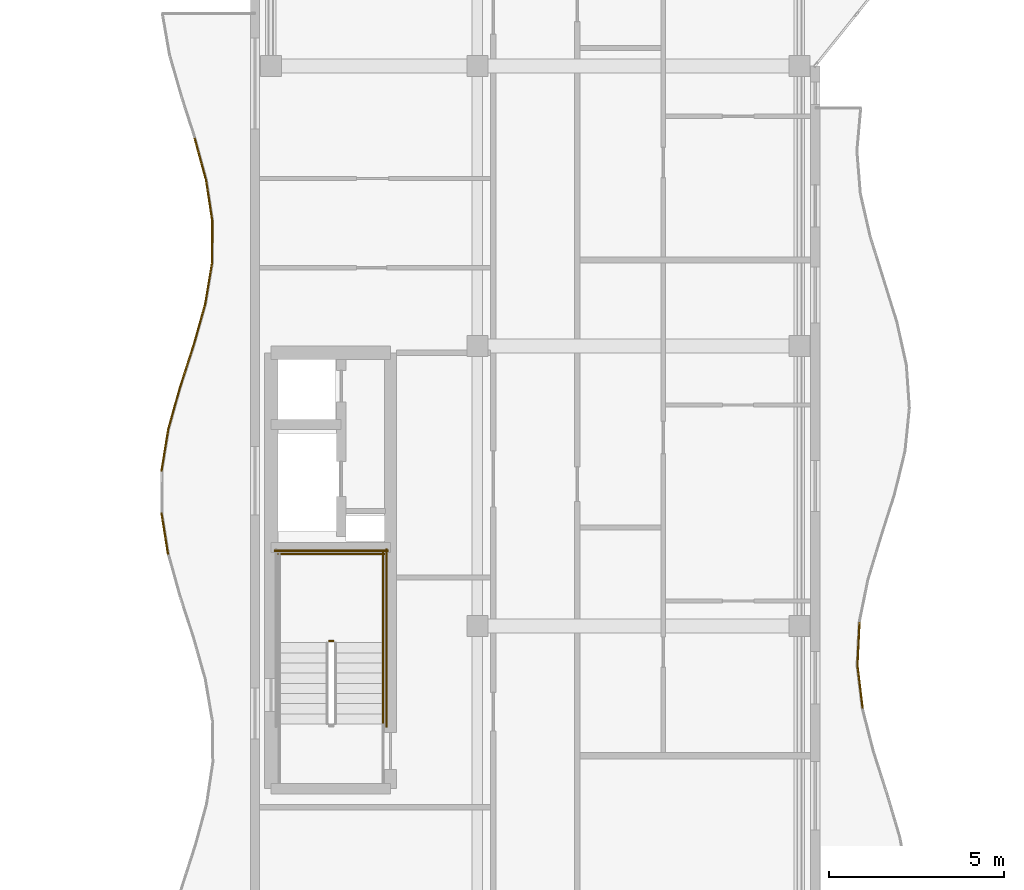
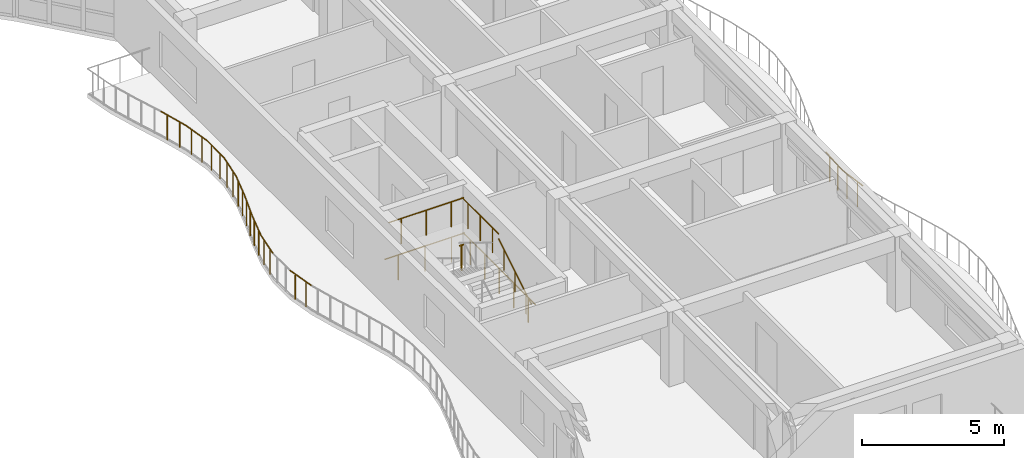
# One storey, part 63 of 76: 17 railings.
"""IFC4 building model written with IfcOpenShell, lengths in metres."""

from ifc_helpers import new_model, si_unit, direction, frame, origin, origin_2d, place, context, subcontext, project, spatial, circle, extrude, material, type_object, element, save


model = new_model("IFC4")

# Units and contexts
model_context = context("Model", 3, precision=1e-05, world=origin(), true_north=direction((0.0, 1.0)))
body_context = subcontext(model_context, "Body", "Model", "MODEL_VIEW")
ifc_project = project(units=[si_unit("LENGTHUNIT", "METRE"), si_unit("AREAUNIT", "SQUARE_METRE"), si_unit("VOLUMEUNIT", "CUBIC_METRE"), si_unit("PLANEANGLEUNIT", "RADIAN"), si_unit("MASSUNIT", "GRAM", prefix="KILO")], contexts=[model_context])

# Site, building, storey
site_placement = place(None, origin())
site = spatial("IfcSite", under=ifc_project, at=site_placement, CompositionType="ELEMENT")
building_placement = place(site_placement, origin())
building = spatial("IfcBuilding", under=site, at=building_placement, Name="Keldmere Railside Commons", CompositionType="ELEMENT")
storey_placement = place(building_placement, frame((0.0, 0.0, 13.760009765625)))
storey = spatial("IfcBuildingStorey", under=building, at=storey_placement, Name="L04", CompositionType="ELEMENT", Elevation=13.760009765625)

# Railings
ifc_material = material(Name="Steel F-24 (S235)", Category="steel")
railing_type_1 = type_object("IfcRailingType", Name="Balcony & Terrace Steel Balustrade 1100", PredefinedType="BALUSTRADE", material=ifc_material)
railing_1_placement = place(storey_placement, frame((121.353271484375, 69.64990234375, 0.0)))
element("IfcRailing", 1, at=railing_1_placement, inside=storey, type_object=railing_type_1, Name="GR-1 GRD-L04-2285", PredefinedType="BALUSTRADE", context=body_context, shape_type="SweptSolid", body=[
    extrude(circle(Radius=0.02392578125, at=origin_2d()), frame((0.0, 0.0, 1.076171875), z_axis=(-0.12008912135, 0.992763115216, 0.0), x_axis=(-0.992763115216, -0.12008912135, 0.0)), (0.0, 0.0, 1.0), 1.234130859375),
    extrude(circle(Radius=0.02099609375, at=origin_2d()), frame((-0.037109375, 0.30615234375, 0.0)), (0.0, 0.0, 1.0), 1.048095703125),
    extrude(circle(Radius=0.02099609375, at=origin_2d()), frame((-0.111083984375, 0.9189453125, 0.0)), (0.0, 0.0, 1.0), 1.048095703125),
])
railing_2_placement = place(storey_placement, frame((121.205078125, 70.875, 0.0)))
element("IfcRailing", 2, at=railing_2_placement, inside=storey, type_object=railing_type_1, Name="GR-1 GRD-L04-2286", PredefinedType="BALUSTRADE", context=body_context, shape_type="SweptSolid", body=[
    extrude(circle(Radius=0.02392578125, at=origin_2d()), frame((0.0, 0.0, 1.076171875), z_axis=(0.048567567844, 0.998819899358, 0.0), x_axis=(-0.998819899358, 0.048567567844, 0.0)), (0.0, 0.0, 1.0), 1.2265625),
    extrude(circle(Radius=0.02099609375, at=origin_2d()), frame((0.014892578125, 0.30615234375, 0.0)), (0.0, 0.0, 1.0), 1.048095703125),
    extrude(circle(Radius=0.02099609375, at=origin_2d()), frame((0.044677734375, 0.9189453125, 0.0)), (0.0, 0.0, 1.0), 1.048095703125),
])
railing_3_placement = place(storey_placement, frame((101.513916015625, 74.04443359375, 0.0)))
element("IfcRailing", 3, at=railing_3_placement, inside=storey, type_object=railing_type_1, Name="GR-1 GRD-L04-2315", PredefinedType="BALUSTRADE", context=body_context, shape_type="SweptSolid", body=[
    extrude(circle(Radius=0.02392578125, at=origin_2d()), frame((0.0, 0.0, 1.076171875), z_axis=(-0.157357767805, 0.987541661355, 0.0), x_axis=(-0.987541661355, -0.157357767805, 0.0)), (0.0, 0.0, 1.0), 1.203857421875),
    extrude(circle(Radius=0.02099609375, at=origin_2d()), frame((-0.04736328125, 0.29736328125, 0.0)), (0.0, 0.0, 1.0), 1.048095703125),
    extrude(circle(Radius=0.02099609375, at=origin_2d()), frame((-0.14208984375, 0.8916015625, 0.0)), (0.0, 0.0, 1.0), 1.048095703125),
])
railing_4_placement = place(storey_placement, frame((101.32568359375, 76.422119140625, 0.0)))
element("IfcRailing", 4, at=railing_4_placement, inside=storey, type_object=railing_type_1, Name="GR-1 GRD-L04-2317", PredefinedType="BALUSTRADE", context=body_context, shape_type="SweptSolid", body=[
    extrude(circle(Radius=0.02392578125, at=origin_2d()), frame((0.0, 0.0, 1.076171875), z_axis=(0.159334412526, 0.987224667938, 0.0), x_axis=(-0.987224667938, 0.159334412526, 0.0)), (0.0, 0.0, 1.0), 1.204345703125),
    extrude(circle(Radius=0.02099609375, at=origin_2d()), frame((0.0478515625, 0.29736328125, 0.0)), (0.0, 0.0, 1.0), 1.048095703125),
    extrude(circle(Radius=0.02099609375, at=origin_2d()), frame((0.14404296875, 0.8916015625, 0.0)), (0.0, 0.0, 1.0), 1.048095703125),
])
railing_5_placement = place(storey_placement, frame((101.517578125, 77.611083984375, 0.0)))
element("IfcRailing", 5, at=railing_5_placement, inside=storey, type_object=railing_type_1, Name="GR-1 GRD-L04-2318", PredefinedType="BALUSTRADE", context=body_context, shape_type="SweptSolid", body=[
    extrude(circle(Radius=0.02392578125, at=origin_2d()), frame((0.0, 0.0, 1.076171875), z_axis=(0.268969644724, 0.963148654267, 0.0), x_axis=(-0.963148654267, 0.268969644724, 0.0)), (0.0, 0.0, 1.0), 1.234375),
    extrude(circle(Radius=0.02099609375, at=origin_2d()), frame((0.0830078125, 0.29736328125, 0.0)), (0.0, 0.0, 1.0), 1.048095703125),
    extrude(circle(Radius=0.02099609375, at=origin_2d()), frame((0.2490234375, 0.8916015625, 0.0)), (0.0, 0.0, 1.0), 1.048095703125),
])
railing_6_placement = place(storey_placement, frame((101.849609375, 78.800048828125, 0.0)))
element("IfcRailing", 6, at=railing_6_placement, inside=storey, type_object=railing_type_1, Name="GR-1 GRD-L04-2319", PredefinedType="BALUSTRADE", context=body_context, shape_type="SweptSolid", body=[
    extrude(circle(Radius=0.02392578125, at=origin_2d()), frame((0.0, 0.0, 1.076171875), z_axis=(0.307893106044, 0.95142095586, 0.0), x_axis=(-0.95142095586, 0.307893106044, 0.0)), (0.0, 0.0, 1.0), 1.249755859375),
    extrude(circle(Radius=0.02099609375, at=origin_2d()), frame((0.09619140625, 0.29736328125, 0.0)), (0.0, 0.0, 1.0), 1.048095703125),
    extrude(circle(Radius=0.02099609375, at=origin_2d()), frame((0.28857421875, 0.8916015625, 0.0)), (0.0, 0.0, 1.0), 1.048095703125),
])
railing_7_placement = place(storey_placement, frame((102.234375, 79.989013671875, 0.0)))
element("IfcRailing", 7, at=railing_7_placement, inside=storey, type_object=railing_type_1, Name="GR-1 GRD-L04-2320", PredefinedType="BALUSTRADE", context=body_context, shape_type="SweptSolid", body=[
    extrude(circle(Radius=0.02392578125, at=origin_2d()), frame((0.0, 0.0, 1.076171875), z_axis=(0.272136034824, 0.962258789802, 0.0), x_axis=(-0.962258789802, 0.272136034824, 0.0)), (0.0, 0.0, 1.0), 1.2353515625),
    extrude(circle(Radius=0.02099609375, at=origin_2d()), frame((0.083984375, 0.297119140625, 0.0)), (0.0, 0.0, 1.0), 1.048095703125),
    extrude(circle(Radius=0.02099609375, at=origin_2d()), frame((0.252197265625, 0.8916015625, 0.0)), (0.0, 0.0, 1.0), 1.048095703125),
])
railing_8_placement = place(storey_placement, frame((102.570556640625, 81.177734375, 0.0)))
element("IfcRailing", 8, at=railing_8_placement, inside=storey, type_object=railing_type_1, Name="GR-1 GRD-L04-2321", PredefinedType="BALUSTRADE", context=body_context, shape_type="SweptSolid", body=[
    extrude(circle(Radius=0.02392578125, at=origin_2d()), frame((0.0, 0.0, 1.076171875), z_axis=(0.165252775506, 0.986251245975, 0.0), x_axis=(-0.986251245975, 0.165252775506, 0.0)), (0.0, 0.0, 1.0), 1.20556640625),
    extrude(circle(Radius=0.02099609375, at=origin_2d()), frame((0.0498046875, 0.29736328125, 0.0)), (0.0, 0.0, 1.0), 1.048095703125),
    extrude(circle(Radius=0.02099609375, at=origin_2d()), frame((0.1494140625, 0.8916015625, 0.0)), (0.0, 0.0, 1.0), 1.048095703125),
])
railing_9_placement = place(storey_placement, frame((102.769775390625, 82.36669921875, 0.0)))
element("IfcRailing", 9, at=railing_9_placement, inside=storey, type_object=railing_type_1, Name="GR-1 GRD-L04-2322", PredefinedType="BALUSTRADE", context=body_context, shape_type="SweptSolid", body=[
    extrude(circle(Radius=0.02392578125, at=origin_2d()), frame((0.0, 0.0, 1.076171875), z_axis=(0.008213275322, 0.999966270485, 0.0), x_axis=(-0.999966270485, 0.008213275322, 0.0)), (0.0, 0.0, 1.0), 1.18896484375),
    extrude(circle(Radius=0.02099609375, at=origin_2d()), frame((0.00244140625, 0.29736328125, 0.0)), (0.0, 0.0, 1.0), 1.048095703125),
    extrude(circle(Radius=0.02099609375, at=origin_2d()), frame((0.00732421875, 0.8916015625, 0.0)), (0.0, 0.0, 1.0), 1.048095703125),
])
railing_10_placement = place(storey_placement, frame((102.779541015625, 83.5556640625, 0.0)))
element("IfcRailing", 10, at=railing_10_placement, inside=storey, type_object=railing_type_1, Name="GR-1 GRD-L04-2323", PredefinedType="BALUSTRADE", context=body_context, shape_type="SweptSolid", body=[
    extrude(circle(Radius=0.02392578125, at=origin_2d()), frame((0.0, 0.0, 1.076171875), z_axis=(-0.151446945819, 0.98846538766, 0.0), x_axis=(-0.98846538766, -0.151446945819, 0.0)), (0.0, 0.0, 1.0), 1.20263671875),
    extrude(circle(Radius=0.02099609375, at=origin_2d()), frame((-0.04541015625, 0.297119140625, 0.0)), (0.0, 0.0, 1.0), 1.048095703125),
    extrude(circle(Radius=0.02099609375, at=origin_2d()), frame((-0.13671875, 0.8916015625, 0.0)), (0.0, 0.0, 1.0), 1.048095703125),
])
railing_11_placement = place(storey_placement, frame((102.597412109375, 84.744384765625, 0.0)))
element("IfcRailing", 11, at=railing_11_placement, inside=storey, type_object=railing_type_1, Name="GR-1 GRD-L04-2324", PredefinedType="BALUSTRADE", context=body_context, shape_type="SweptSolid", body=[
    extrude(circle(Radius=0.02392578125, at=origin_2d()), frame((0.0, 0.0, 1.076171875), z_axis=(-0.264558107052, 0.964369746515, 0.0), x_axis=(-0.964369746515, -0.264558107052, 0.0)), (0.0, 0.0, 1.0), 1.23291015625),
    extrude(circle(Radius=0.02099609375, at=origin_2d()), frame((-0.08154296875, 0.29736328125, 0.0)), (0.0, 0.0, 1.0), 1.048095703125),
    extrude(circle(Radius=0.02099609375, at=origin_2d()), frame((-0.24462890625, 0.8916015625, 0.0)), (0.0, 0.0, 1.0), 1.048095703125),
])
railing_type_2 = type_object("IfcRailingType", Name="Stair Well Steel Guardrail 1100", PredefinedType="BALUSTRADE", material=ifc_material)
railing_12_placement = place(storey_placement, frame((106.25, 71.570068359375, 1.60009765625)))
element("IfcRailing", 12, at=railing_12_placement, inside=storey, type_object=railing_type_2, Name="L04 ST-B1 stair guard 2", PredefinedType="BALUSTRADE", context=body_context, shape_type="SweptSolid", body=[
    extrude(circle(Radius=0.02392578125, at=origin_2d()), frame((0.0, 0.0, 1.076171875), z_axis=(-1.0, 0.0, 0.0), x_axis=(0.0, -1.0, 0.0)), (0.0, 0.0, 1.0), 0.14990234375),
    extrude(circle(Radius=0.02099609375, at=origin_2d()), frame((-0.074951171875, 0.0, 0.0)), (0.0, 0.0, 1.0), 1.048095703125),
])
railing_13_placement = place(storey_placement, frame((107.64990234375, 71.52001953125, 1.60009765625)))
element("IfcRailing", 13, at=railing_13_placement, inside=storey, type_object=railing_type_2, Name="L04 ST-B1 stair guard 3", PredefinedType="BALUSTRADE", context=body_context, shape_type="SweptSolid", body=[
    extrude(circle(Radius=0.02392578125, at=origin_2d()), frame((0.0, 0.0, 1.076171875), z_axis=(0.0, 1.0, 0.0), x_axis=(-1.0, 0.0, 0.0)), (0.0, 0.0, 1.0), 2.580078125),
    extrude(circle(Radius=0.02099609375, at=origin_2d()), frame((0.0, 0.429931640625, 0.0)), (0.0, 0.0, 1.0), 1.048095703125),
    extrude(circle(Radius=0.02099609375, at=origin_2d()), frame((0.0, 1.2900390625, 0.0)), (0.0, 0.0, 1.0), 1.048095703125),
    extrude(circle(Radius=0.02099609375, at=origin_2d()), frame((0.0, 2.150146484375, 0.0)), (0.0, 0.0, 1.0), 1.048095703125),
])
railing_14_placement = place(storey_placement, frame((107.699951171875, 74.050048828125, 1.60009765625)))
element("IfcRailing", 14, at=railing_14_placement, inside=storey, type_object=railing_type_2, Name="L04 ST-B1 stair guard 5", PredefinedType="BALUSTRADE", context=body_context, shape_type="SweptSolid", body=[
    extrude(circle(Radius=0.02392578125, at=origin_2d()), frame((0.0, 0.0, 1.076171875), z_axis=(-1.0, 0.0, 0.0), x_axis=(0.0, -1.0, 0.0)), (0.0, 0.0, 1.0), 3.050048828125),
    extrude(circle(Radius=0.02099609375, at=origin_2d()), frame((-0.50830078125, 0.0, 0.0)), (0.0, 0.0, 1.0), 1.048095703125),
    extrude(circle(Radius=0.02099609375, at=origin_2d()), frame((-1.52490234375, 0.0, 0.0)), (0.0, 0.0, 1.0), 1.048095703125),
    extrude(circle(Radius=0.02099609375, at=origin_2d()), frame((-2.541748046875, 0.0, 0.0)), (0.0, 0.0, 1.0), 1.048095703125),
])
railing_15_placement = place(storey_placement, frame((107.75, 69.10009765625, 0.0)))
element("IfcRailing", 15, at=railing_15_placement, inside=storey, type_object=railing_type_2, Name="L04 ST-B1 stair guard 10", PredefinedType="BALUSTRADE", context=body_context, shape_type="SweptSolid", body=[
    extrude(circle(Radius=0.02392578125, at=origin_2d()), frame((0.0, 0.0, 1.076171875), z_axis=(0.0, 1.0, 0.0), x_axis=(-1.0, 0.0, 0.0)), (0.0, 0.0, 1.0), 5.099853515625),
    extrude(circle(Radius=0.02099609375, at=origin_2d()), frame((0.0, 0.510009765625, 0.0)), (0.0, 0.0, 1.0), 1.048095703125),
    extrude(circle(Radius=0.02099609375, at=origin_2d()), frame((0.0, 1.530029296875, 0.0)), (0.0, 0.0, 1.0), 1.048095703125),
    extrude(circle(Radius=0.02099609375, at=origin_2d()), frame((0.0, 2.5498046875, 0.0)), (0.0, 0.0, 1.0), 1.048095703125),
    extrude(circle(Radius=0.02099609375, at=origin_2d()), frame((0.0, 3.56982421875, 0.0)), (0.0, 0.0, 1.0), 1.048095703125),
    extrude(circle(Radius=0.02099609375, at=origin_2d()), frame((0.0, 4.58984375, 0.0)), (0.0, 0.0, 1.0), 1.048095703125),
])
railing_16_placement = place(storey_placement, frame((107.800048828125, 74.14990234375, 0.0)))
element("IfcRailing", 16, at=railing_16_placement, inside=storey, type_object=railing_type_2, Name="L04 ST-B1 stair guard 12", PredefinedType="BALUSTRADE", context=body_context, shape_type="SweptSolid", body=[
    extrude(circle(Radius=0.02392578125, at=origin_2d()), frame((0.0, 0.0, 1.076171875), z_axis=(-1.0, 0.0, 0.0), x_axis=(0.0, -1.0, 0.0)), (0.0, 0.0, 1.0), 3.25),
    extrude(circle(Radius=0.02099609375, at=origin_2d()), frame((-0.541748046875, 0.0, 0.0)), (0.0, 0.0, 1.0), 1.048095703125),
    extrude(circle(Radius=0.02099609375, at=origin_2d()), frame((-1.625, 0.0, 0.0)), (0.0, 0.0, 1.0), 1.048095703125),
    extrude(circle(Radius=0.02099609375, at=origin_2d()), frame((-2.708251953125, 0.0, 0.0)), (0.0, 0.0, 1.0), 1.048095703125),
])
railing_type_3 = type_object("IfcRailingType", Name="Wall-Mounted Tubular Steel Handrail 900", PredefinedType="HANDRAIL", material=ifc_material)
railing_17_placement = place(storey_placement, frame((107.64990234375, 69.199951171875, 0.177734375)))
element("IfcRailing", 17, at=railing_17_placement, inside=storey, type_object=railing_type_3, Name="L04 ST-B1 stair handrail 1", PredefinedType="HANDRAIL", context=body_context, shape_type="SweptSolid", body=[
    extrude(circle(Radius=0.02392578125, at=origin_2d()), frame((0.0, 0.0, 0.8759765625), z_axis=(0.0, 0.852538067394, 0.522665135287), x_axis=(-1.0, 0.0, 0.0)), (0.0, 0.0, 1.0), 2.721435546875),
    extrude(circle(Radius=0.02099609375, at=origin_2d()), frame((0.0, 0.38671875, 0.237060546875)), (0.0, 0.0, 1.0), 0.847900390625),
    extrude(circle(Radius=0.02099609375, at=origin_2d()), frame((0.0, 1.16015625, 0.711181640625)), (0.0, 0.0, 1.0), 0.847900390625),
    extrude(circle(Radius=0.02099609375, at=origin_2d()), frame((0.0, 1.933349609375, 1.185302734375)), (0.0, 0.0, 1.0), 0.847900390625),
])

save(model, "model.ifc")
